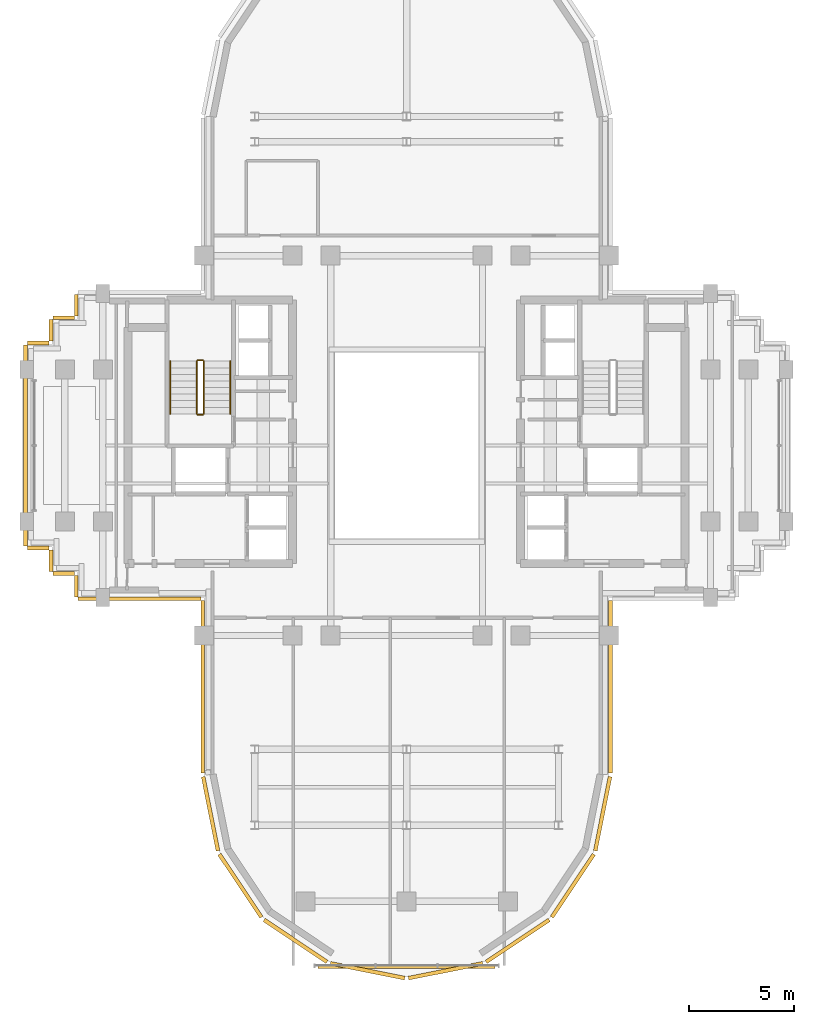
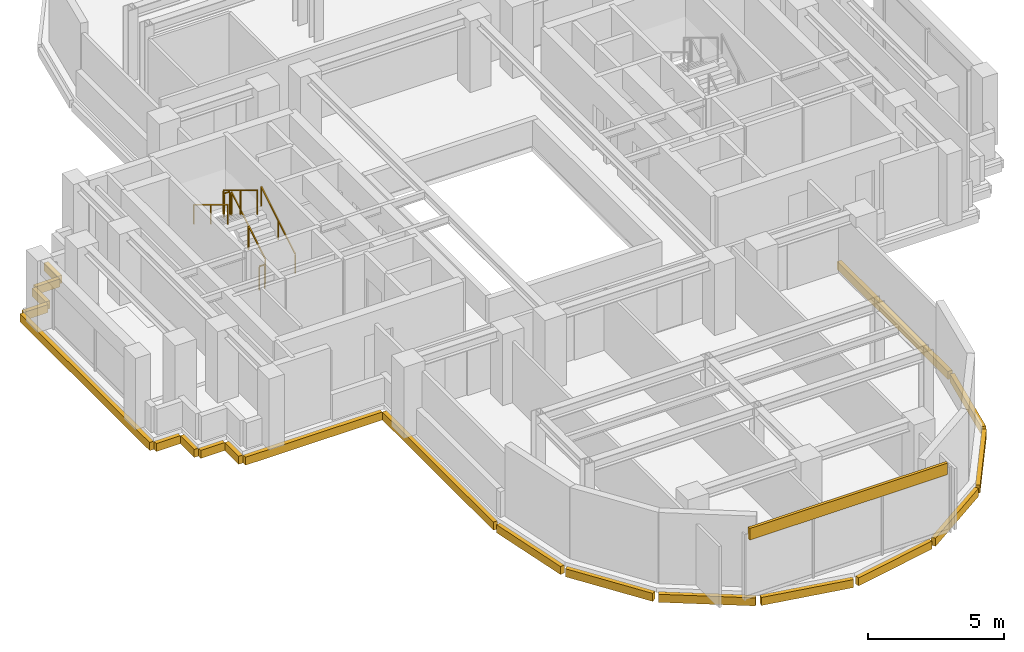
# One storey, part 9 of 11: 21 coverings, 6 railings.
"""IFC4 building model written with IfcOpenShell, lengths in metres."""

import ifcopenshell
import ifcopenshell.guid

model = None  # the IFC model being written
_history = None  # IfcOwnerHistory: only IFC2X3 demands one
_inside = {}  # id of a spatial element -> (the spatial element, [elements in it])
_under = {}  # id of a project, library or spatial element -> (it, [spatial elements below it])
_declared = {}  # id of a project -> (the project, [libraries it declares])
_typed = {}  # id of a type object -> (the type object, [elements of that type])
_made_of = {}  # id of a material, layer set ... -> (it, [elements and type objects made of it])


def new_model(schema):
    """Start an empty IFC model of exactly this schema.

    Asked for "IFC4X3", IfcOpenShell would pick the latest addendum, in which some entities
    have other attributes; the version numbers below select the first issue.
    IFC2X3 requires an IfcOwnerHistory on every rooted entity: one is made here for all.
    """
    global model, _history
    if schema == "IFC4X3":
        model = ifcopenshell.file(schema_version=(4, 3, 0, 0))
    else:
        model = ifcopenshell.file(schema=schema)
    _inside.clear()
    _under.clear()
    _declared.clear()
    _typed.clear()
    _made_of.clear()
    _history = None
    if model.schema == "IFC2X3":
        org = make("IfcOrganization", Name="unknown")
        user = make(
            "IfcPersonAndOrganization",
            ThePerson=make("IfcPerson", FamilyName="unknown"),
            TheOrganization=org,
        )
        app = make(
            "IfcApplication",
            ApplicationDeveloper=org,
            Version="unknown",
            ApplicationFullName="unknown",
            ApplicationIdentifier="unknown",
        )
        _history = make(
            "IfcOwnerHistory",
            OwningUser=user,
            OwningApplication=app,
            ChangeAction="ADDED",
            CreationDate=0,
        )
    return model


def make(cls, **values):
    """One entity of the class cls with the attributes given. An attribute that is None is left unset."""
    return model.create_entity(
        cls, **{name: value for name, value in values.items() if value is not None}
    )


def rooted(cls, **values):
    """An entity with a GlobalId (a new one), such as an element, a storey or a relation."""
    return make(cls, GlobalId=ifcopenshell.guid.new(), OwnerHistory=_history, **values)


def si_unit(unit_type, name, prefix=None):
    """IfcSIUnit, for example si_unit("LENGTHUNIT", "METRE", prefix="MILLI")."""
    return make("IfcSIUnit", UnitType=unit_type, Prefix=prefix, Name=name)


def assignment(units):
    """IfcUnitAssignment: the units of a project."""
    return None if units is None else make("IfcUnitAssignment", Units=units)


def point(xyz):
    """IfcCartesianPoint."""
    return None if xyz is None else make("IfcCartesianPoint", Coordinates=xyz)


def direction(xyz):
    """IfcDirection."""
    return None if xyz is None else make("IfcDirection", DirectionRatios=xyz)


def frame(location, z_axis=None, x_axis=None):
    """IfcAxis2Placement3D, a coordinate frame: its origin and axes. An axis left out is left unset."""
    return make(
        "IfcAxis2Placement3D",
        Location=point(location),
        Axis=direction(z_axis),
        RefDirection=direction(x_axis),
    )


def frame_2d(location, x_axis=None):
    """IfcAxis2Placement2D, a coordinate frame in the plane: its origin and x axis."""
    return make(
        "IfcAxis2Placement2D", Location=point(location), RefDirection=direction(x_axis)
    )


def origin():
    """The frame at (0, 0, 0) with its axes left unset."""
    return frame((0.0, 0.0, 0.0))


def origin_2d():
    """The frame at (0, 0) in the plane with its x axis left unset."""
    return frame_2d((0.0, 0.0))


def place(relative_to, where):
    """IfcLocalPlacement: puts the frame where relative to a parent placement (None: the world)."""
    return make(
        "IfcLocalPlacement", PlacementRelTo=relative_to, RelativePlacement=where
    )


def context(
    kind, dimensions, precision=None, world=None, true_north=None, identifier=None
):
    """IfcGeometricRepresentationContext, for example the 3D "Model" context."""
    return make(
        "IfcGeometricRepresentationContext",
        ContextIdentifier=identifier,
        ContextType=kind,
        CoordinateSpaceDimension=dimensions,
        Precision=precision,
        WorldCoordinateSystem=world,
        TrueNorth=true_north,
    )


def subcontext(parent, identifier, kind, view, scale=None):
    """IfcGeometricRepresentationSubContext, for example "Body" below "Model"."""
    return make(
        "IfcGeometricRepresentationSubContext",
        ContextIdentifier=identifier,
        ContextType=kind,
        ParentContext=parent,
        TargetScale=scale,
        TargetView=view,
    )


def project(units=None, contexts=None):
    """IfcProject with its units and contexts."""
    return rooted(
        "IfcProject",
        Name="project",
        RepresentationContexts=contexts,
        UnitsInContext=assignment(units),
    )


def spatial(cls, under=None, at=None, **own):
    """A site, building, storey or space (cls), placed at a placement, below another one or the project."""
    s = rooted(cls, ObjectPlacement=at, **own)
    if under is not None:
        _under.setdefault(under.id(), (under, []))[1].append(s)
    return s


def profile(cls, at=None, kind="AREA", **sizes):
    """A parametric profile (cls). Its sizes go by their IFC names, for example OverallWidth=200.0."""
    return make(cls, ProfileType=kind, Position=at, **sizes)


def rectangle(**sizes):
    """IfcRectangleProfileDef."""
    return profile("IfcRectangleProfileDef", **sizes)


def extrude(swept, where, along, depth):
    """IfcExtrudedAreaSolid: the profile swept, set in the frame where, extruded along a direction by depth."""
    return make(
        "IfcExtrudedAreaSolid",
        SweptArea=swept,
        Position=where,
        ExtrudedDirection=direction(along),
        Depth=depth,
    )


def shape(context_of_items, identifier, shape_type, items):
    """IfcShapeRepresentation: the items that make up one representation, for example the "Body"."""
    return make(
        "IfcShapeRepresentation",
        ContextOfItems=context_of_items,
        RepresentationIdentifier=identifier,
        RepresentationType=shape_type,
        Items=items,
    )


def source(mapping_origin, context_of_items, identifier, shape_type, items):
    """IfcRepresentationMap: a shape defined once, which mapped items show again and again."""
    return make(
        "IfcRepresentationMap",
        MappingOrigin=mapping_origin,
        MappedRepresentation=shape(context_of_items, identifier, shape_type, items),
    )


def transform(
    local_origin,
    x_axis=None,
    y_axis=None,
    z_axis=None,
    scale=None,
    scale2=None,
    scale3=None,
    uniform=True,
):
    """IfcCartesianTransformationOperator3D, or its non-uniform kind. x_axis, y_axis, z_axis: its Axis1, 2, 3."""
    if uniform:
        return make(
            "IfcCartesianTransformationOperator3D",
            Axis1=direction(x_axis),
            Axis2=direction(y_axis),
            LocalOrigin=point(local_origin),
            Scale=scale,
            Axis3=direction(z_axis),
        )
    return make(
        "IfcCartesianTransformationOperator3DnonUniform",
        Axis1=direction(x_axis),
        Axis2=direction(y_axis),
        LocalOrigin=point(local_origin),
        Scale=scale,
        Axis3=direction(z_axis),
        Scale2=scale2,
        Scale3=scale3,
    )


def mapped(mapping_source, mapping_target):
    """IfcMappedItem: shows the shape of a source again, moved by a transform."""
    return make(
        "IfcMappedItem", MappingSource=mapping_source, MappingTarget=mapping_target
    )


def material(Name=None, Category=None):
    """IfcMaterial."""
    return make("IfcMaterial", Name=Name, Category=Category)


def layer(
    of_material, thickness, ventilated=None, Name=None, Category=None, Priority=None
):
    """IfcMaterialLayer: one layer of a wall or slab, of a material (None: an air gap)."""
    return make(
        "IfcMaterialLayer",
        Material=of_material,
        LayerThickness=thickness,
        IsVentilated=ventilated,
        Name=Name,
        Category=Category,
        Priority=Priority,
    )


def layer_set(layers, Name=None):
    """IfcMaterialLayerSet."""
    return make("IfcMaterialLayerSet", MaterialLayers=layers, LayerSetName=Name)


def made_of(thing, what):
    """Note that an element or type object is made of a material, layer set ...; save() writes the relation."""
    if what is not None:
        _made_of.setdefault(what.id(), (what, []))[1].append(thing)
    return thing


def type_object(cls, material=None, **own):
    """A type object (cls), such as IfcWallType, which elements share."""
    return made_of(rooted(cls, **own), material)


def element(
    cls,
    number,
    at=None,
    inside=None,
    cuts=None,
    type_object=None,
    material=None,
    context=None,
    identifier="Body",
    shape_type=None,
    held_by="IfcProductDefinitionShape",
    body=None,
    shapes=None,
    **own,
):
    """One element of the class cls, such as IfcWall. Its Tag is "e" and its number.

    at: its placement. inside: the storey or other place that contains it. cuts: it is an
    opening in that element (IfcRelVoidsElement). A single representation is given by context,
    identifier, shape_type and body (its items); several are given by shapes. held_by: the class
    of the entity that holds the representations. save() writes the other relations.
    """
    e = rooted(cls, Tag="e%d" % number, ObjectPlacement=at, **own)
    if body is not None:
        shapes = [shape(context, identifier, shape_type, body)]
    if shapes is not None:
        e.Representation = make(held_by, Representations=shapes)
    if inside is not None:
        _inside.setdefault(inside.id(), (inside, []))[1].append(e)
    if cuts is not None:
        rooted(
            "IfcRelVoidsElement", RelatingBuildingElement=cuts, RelatedOpeningElement=e
        )
    if type_object is not None:
        _typed.setdefault(type_object.id(), (type_object, []))[1].append(e)
    return made_of(e, material)


def aggregate(whole, parts):
    """IfcRelAggregates: a whole, such as a stair, and the parts it consists of."""
    return rooted("IfcRelAggregates", RelatingObject=whole, RelatedObjects=parts)


def save(model, path):
    """Write the relations noted so far, then the file.

    IfcRelAggregates (storeys below a building ...), IfcRelContainedInSpatialStructure (elements
    in a storey), IfcRelDefinesByType, IfcRelAssociatesMaterial and IfcRelDeclares: one each for
    every whole, place, type object, material and project.
    """
    for whole, parts in _under.values():
        aggregate(whole, parts)
    for where, things in _inside.values():
        rooted(
            "IfcRelContainedInSpatialStructure",
            RelatedElements=things,
            RelatingStructure=where,
        )
    for kind, things in _typed.values():
        rooted("IfcRelDefinesByType", RelatedObjects=things, RelatingType=kind)
    for what, things in _made_of.values():
        rooted("IfcRelAssociatesMaterial", RelatedObjects=things, RelatingMaterial=what)
    for by, libraries in _declared.values():
        rooted("IfcRelDeclares", RelatingContext=by, RelatedDefinitions=libraries)
    model.write(path)


model = new_model("IFC4")

# Units and contexts
model_context = context("Model", 3, precision=1e-05, world=origin(), true_north=direction((0.0, 1.0)))
body_context = subcontext(model_context, "Body", "Model", "MODEL_VIEW")
ifc_project = project(units=[si_unit("LENGTHUNIT", "METRE"), si_unit("AREAUNIT", "SQUARE_METRE"), si_unit("VOLUMEUNIT", "CUBIC_METRE"), si_unit("PLANEANGLEUNIT", "RADIAN"), si_unit("MASSUNIT", "GRAM", prefix="KILO")], contexts=[model_context])

# Site, building, storey
site_placement = place(None, origin())
site = spatial("IfcSite", under=ifc_project, at=site_placement, CompositionType="ELEMENT")
building_placement = place(site_placement, origin())
building = spatial("IfcBuilding", under=site, at=building_placement, Name="Keilestroom Media Tower", CompositionType="ELEMENT")
storey_placement = place(building_placement, frame((0.0, 0.0, 160.39990234375)))
storey = spatial("IfcBuildingStorey", under=building, at=storey_placement, Name="L43", CompositionType="ELEMENT", Elevation=160.39990234375)

# Railings
ifc_material_1 = material(Name="Brushed Stainless Steel 1.4301", Category="steel")
railing_type_1 = type_object("IfcRailingType", Name="Stair-Pitch-Handrail-920", PredefinedType="HANDRAIL", material=ifc_material_1)
railing_1_placement = place(storey_placement, frame((-8.35009765625, 1.5, 0.18896484375)))
element("IfcRailing", 1, at=railing_1_placement, inside=storey, type_object=railing_type_1, Name="L43 ST-1 stair handrail 1", PredefinedType="HANDRAIL", context=body_context, shape_type="SweptSolid", body=[
    extrude(rectangle(XDim=0.048095703125, YDim=0.048095703125, at=origin_2d()), frame((0.0, 0.0, 0.8759765625), z_axis=(0.0, 0.855433747314, 0.517912255074), x_axis=(-1.0, 0.0, 0.0)), (0.0, 0.0, 1.0), 2.91796875),
    extrude(rectangle(XDim=0.0419921875, YDim=0.0419921875, at=origin_2d()), origin(), (0.0, 0.0, 1.0), 0.84375),
    extrude(rectangle(XDim=0.0419921875, YDim=0.0419921875, at=origin_2d()), frame((0.0, 1.248046875, 0.755615234375)), (0.0, 0.0, 1.0), 0.84375),
    extrude(rectangle(XDim=0.0419921875, YDim=0.0419921875, at=origin_2d()), frame((0.0, 2.49609375, 1.51123046875)), (0.0, 0.0, 1.0), 0.84375),
])
railing_2_placement = place(storey_placement, frame((-11.2099609375, 3.99609375, 1.888916015625)))
element("IfcRailing", 2, at=railing_2_placement, inside=storey, type_object=railing_type_1, Name="L43 ST-1 stair handrail 2", PredefinedType="HANDRAIL", context=body_context, shape_type="SweptSolid", body=[
    extrude(rectangle(XDim=0.048095703125, YDim=0.048095703125, at=origin_2d()), frame((0.0, 0.0, 0.8759765625), z_axis=(0.0, -0.855433747314, 0.517912255074), x_axis=(1.0, 0.0, 0.0)), (0.0, 0.0, 1.0), 2.91796875),
    extrude(rectangle(XDim=0.0419921875, YDim=0.0419921875, at=origin_2d()), origin(), (0.0, 0.0, 1.0), 0.84375),
    extrude(rectangle(XDim=0.0419921875, YDim=0.0419921875, at=origin_2d()), frame((0.0, -1.248046875, 0.755615234375)), (0.0, 0.0, 1.0), 0.84375),
    extrude(rectangle(XDim=0.0419921875, YDim=0.0419921875, at=origin_2d()), frame((0.0, -2.49609375, 1.51123046875)), (0.0, 0.0, 1.0), 0.84375),
])
ifc_material_2 = material(Name="Painted Steel Balustrade", Category="steel")
railing_type_2 = type_object("IfcRailingType", Name="Stair-Well-And-Landing-Guard-1100", PredefinedType="GUARDRAIL", material=ifc_material_2)
railing_3_placement = place(storey_placement, frame((-9.610107421875, 1.5, 0.18896484375)))
element("IfcRailing", 3, at=railing_3_placement, inside=storey, type_object=railing_type_2, Name="L43 ST-1 stair guard 1", PredefinedType="GUARDRAIL", context=body_context, shape_type="SweptSolid", body=[
    extrude(rectangle(XDim=0.048095703125, YDim=0.048095703125, at=origin_2d()), frame((0.0, 0.0, 1.076171875), z_axis=(0.0, 0.855433747314, 0.517912255074), x_axis=(-1.0, 0.0, 0.0)), (0.0, 0.0, 1.0), 2.91796875),
    extrude(rectangle(XDim=0.0419921875, YDim=0.0419921875, at=origin_2d()), origin(), (0.0, 0.0, 1.0), 1.0439453125),
    extrude(rectangle(XDim=0.0419921875, YDim=0.0419921875, at=origin_2d()), frame((0.0, 1.248046875, 0.755615234375)), (0.0, 0.0, 1.0), 1.0439453125),
    extrude(rectangle(XDim=0.0419921875, YDim=0.0419921875, at=origin_2d()), frame((0.0, 2.49609375, 1.51123046875)), (0.0, 0.0, 1.0), 1.0439453125),
])
railing_4_placement = place(storey_placement, frame((-9.659912109375, 4.0458984375, 1.7001953125)))
element("IfcRailing", 4, at=railing_4_placement, inside=storey, type_object=railing_type_2, Name="L43 ST-1 stair guard 2", PredefinedType="GUARDRAIL", context=body_context, shape_type="SweptSolid", body=[
    extrude(rectangle(XDim=0.048095703125, YDim=0.048095703125, at=origin_2d()), frame((0.0, 0.0, 1.076171875), z_axis=(-1.0, 0.0, 0.0), x_axis=(0.0, -1.0, 0.0)), (0.0, 0.0, 1.0), 0.239990234375),
    extrude(rectangle(XDim=0.0419921875, YDim=0.0419921875, at=origin_2d()), origin(), (0.0, 0.0, 1.0), 1.0439453125),
    extrude(rectangle(XDim=0.0419921875, YDim=0.0419921875, at=origin_2d()), frame((-0.239990234375, 0.0, 0.0)), (0.0, 0.0, 1.0), 1.0439453125),
])
railing_5_placement = place(storey_placement, frame((-9.949951171875, 3.99609375, 1.888916015625)))
element("IfcRailing", 5, at=railing_5_placement, inside=storey, type_object=railing_type_2, Name="L43 ST-1 stair guard 3", PredefinedType="GUARDRAIL", context=body_context, shape_type="SweptSolid", body=[
    extrude(rectangle(XDim=0.048095703125, YDim=0.048095703125, at=origin_2d()), frame((0.0, 0.0, 1.076171875), z_axis=(0.0, -0.855433747314, 0.517912255074), x_axis=(1.0, 0.0, 0.0)), (0.0, 0.0, 1.0), 2.91796875),
    extrude(rectangle(XDim=0.0419921875, YDim=0.0419921875, at=origin_2d()), origin(), (0.0, 0.0, 1.0), 1.0439453125),
    extrude(rectangle(XDim=0.0419921875, YDim=0.0419921875, at=origin_2d()), frame((0.0, -1.248046875, 0.755615234375)), (0.0, 0.0, 1.0), 1.0439453125),
    extrude(rectangle(XDim=0.0419921875, YDim=0.0419921875, at=origin_2d()), frame((0.0, -2.49609375, 1.51123046875)), (0.0, 0.0, 1.0), 1.0439453125),
])
railing_6_placement = place(storey_placement, frame((-9.659912109375, 1.449951171875, 0.0)))
element("IfcRailing", 6, at=railing_6_placement, inside=storey, type_object=railing_type_2, Name="L43 ST-1 stair guard 4", PredefinedType="GUARDRAIL", context=body_context, shape_type="SweptSolid", body=[
    extrude(rectangle(XDim=0.048095703125, YDim=0.048095703125, at=origin_2d()), frame((0.0, 0.0, 1.076171875), z_axis=(-1.0, 0.0, 0.0), x_axis=(0.0, -1.0, 0.0)), (0.0, 0.0, 1.0), 0.239990234375),
    extrude(rectangle(XDim=0.0419921875, YDim=0.0419921875, at=origin_2d()), origin(), (0.0, 0.0, 1.0), 1.0439453125),
    extrude(rectangle(XDim=0.0419921875, YDim=0.0419921875, at=origin_2d()), frame((-0.239990234375, 0.0, 0.0)), (0.0, 0.0, 1.0), 1.0439453125),
])

# Coverings
ifc_material_3 = material(Name="Precast concrete C40/50", Category="concrete")
ifc_layer = layer(ifc_material_3, 0.1201171875)
ifc_layer_set = layer_set([ifc_layer], Name="Precast concrete C40/50")
covering_type = type_object("IfcCoveringType", Name="Exterior-Precast-Spandrel-Cladding-Panel-120", PredefinedType="CLADDING", material=ifc_layer_set)
shared_shape_1 = source(origin(), body_context, "Body", "SweptSolid", [
    extrude(rectangle(XDim=8.39990234375, YDim=0.1201171875, at=origin_2d()), origin(), (0.0, 0.0, 1.0), 0.52001953125),
])
covering_1_placement = place(storey_placement, frame((0.0, -24.719970703125, 2.690185546875), z_axis=(0.0, 0.0, 1.0), x_axis=(1.0, 0.0, 0.0)))
element("IfcCovering", 7, at=covering_1_placement, inside=storey, type_object=covering_type, Name="L43 Precast Spandrel Cladding S", PredefinedType="CLADDING", context=body_context, shape_type="MappedRepresentation", body=[
    mapped(shared_shape_1, transform((0.0, 0.0, 0.0), x_axis=(1.0, 0.0, 0.0), y_axis=(0.0, 1.0, 0.0), z_axis=(0.0, 0.0, 1.0), scale=1.0)),
])
shared_shape_2 = source(origin(), body_context, "Body", "SweptSolid", [
    extrude(rectangle(XDim=1.02001953125, YDim=0.179931640625, at=origin_2d()), origin(), (0.0, 0.0, 1.0), 0.360107421875),
])
for number, where, z_axis, x_axis, name in (
    (8, (-15.659912109375, -6.659912109375, -0.5400390625), (0.0, 0.0, 1.0), (0.0, 1.0, 0.0), "L43 Precast Slab-Edge Fascia Cornice 17"),
    (9, (-16.260009765625, -6.06005859375, -0.5400390625), (0.0, 0.0, 1.0), (-1.0, 0.0, 0.0), "L43 Precast Slab-Edge Fascia Cornice 18"),
    (10, (-16.860107421875, -5.4599609375, -0.5400390625), (0.0, 0.0, 1.0), (0.0, 1.0, 0.0), "L43 Precast Slab-Edge Fascia Cornice 19"),
    (11, (-17.4599609375, -4.860107421875, -0.5400390625), (0.0, 0.0, 1.0), (-1.0, 0.0, 0.0), "L43 Precast Slab-Edge Fascia Cornice 20"),
    (12, (-17.4599609375, 4.860107421875, -0.5400390625), (0.0, 0.0, 1.0), (1.0, 0.0, 0.0), "L43 Precast Slab-Edge Fascia Cornice 22"),
    (13, (-16.860107421875, 5.4599609375, -0.5400390625), (0.0, 0.0, 1.0), (0.0, 1.0, 0.0), "L43 Precast Slab-Edge Fascia Cornice 23"),
    (14, (-16.260009765625, 6.06005859375, -0.5400390625), (0.0, 0.0, 1.0), (1.0, 0.0, 0.0), "L43 Precast Slab-Edge Fascia Cornice 24"),
    (15, (-15.659912109375, 6.659912109375, -0.5400390625), (0.0, 0.0, 1.0), (0.0, 1.0, 0.0), "L43 Precast Slab-Edge Fascia Cornice 25"),
):
    element("IfcCovering", number, at=place(storey_placement, frame(where, z_axis=z_axis, x_axis=x_axis)), inside=storey, type_object=covering_type, Name=name, PredefinedType="CLADDING", context=body_context, shape_type="MappedRepresentation", body=[
        mapped(shared_shape_2, transform((0.0, 0.0, 0.0), x_axis=(1.0, 0.0, 0.0), y_axis=(0.0, 1.0, 0.0), z_axis=(0.0, 0.0, 1.0), scale=1.0)),
    ])
shared_shape_3 = source(origin(), body_context, "Body", "SweptSolid", [
    extrude(rectangle(XDim=8.166015625, YDim=0.179931640625, at=origin_2d()), origin(), (0.0, 0.0, 1.0), 0.360107421875),
])
for number, where, z_axis, x_axis, name in (
    (16, (9.659912109375, -11.43310546875, -0.5400390625), (0.0, 0.0, 1.0), (0.0, -1.0, 0.0), "L43 Precast Slab-Edge Fascia Cornice 06"),
    (17, (-9.659912109375, -11.43310546875, -0.5400390625), (0.0, 0.0, 1.0), (0.0, 1.0, 0.0), "L43 Precast Slab-Edge Fascia Cornice 15"),
):
    element("IfcCovering", number, at=place(storey_placement, frame(where, z_axis=z_axis, x_axis=x_axis)), inside=storey, type_object=covering_type, Name=name, PredefinedType="CLADDING", context=body_context, shape_type="MappedRepresentation", body=[
        mapped(shared_shape_3, transform((0.0, 0.0, 0.0), x_axis=(1.0, 0.0, 0.0), y_axis=(0.0, 1.0, 0.0), z_axis=(0.0, 0.0, 1.0), scale=1.0)),
    ])
shared_shape_4 = source(origin(), body_context, "Body", "SweptSolid", [
    extrude(rectangle(XDim=3.58349609375, YDim=0.179931640625, at=origin_2d()), origin(), (0.0, 0.0, 1.0), 0.360107421875),
])
for number, where, z_axis, x_axis, name in (
    (18, (9.29296875, -17.45166015625, -0.5400390625), (0.0, 0.0, 1.0), (-0.195098880975, -0.980783577882, 0.0), "L43 Precast Slab-Edge Fascia Cornice 07"),
    (19, (-9.29296875, -17.45166015625, -0.5400390625), (0.0, 0.0, 1.0), (-0.195098880975, 0.980783577882, 0.0), "L43 Precast Slab-Edge Fascia Cornice 14"),
):
    element("IfcCovering", number, at=place(storey_placement, frame(where, z_axis=z_axis, x_axis=x_axis)), inside=storey, type_object=covering_type, Name=name, PredefinedType="CLADDING", context=body_context, shape_type="MappedRepresentation", body=[
        mapped(shared_shape_4, transform((0.0, 0.0, 0.0), x_axis=(1.0, 0.0, 0.0), y_axis=(0.0, 1.0, 0.0), z_axis=(0.0, 0.0, 1.0), scale=1.0)),
    ])
shared_shape_5 = source(origin(), body_context, "Body", "SweptSolid", [
    extrude(rectangle(XDim=3.589599609375, YDim=0.179931640625, at=origin_2d()), origin(), (0.0, 0.0, 1.0), 0.360107421875),
])
for number, where, z_axis, x_axis, name in (
    (20, (7.878662109375, -20.8642578125, -0.5400390625), (0.0, 0.0, 1.0), (-0.555574586577, -0.831466703332, 0.0), "L43 Precast Slab-Edge Fascia Cornice 08"),
    (21, (5.264404296875, -23.478515625, -0.5400390625), (0.0, 0.0, 1.0), (-0.831466703332, -0.555574586577, 0.0), "L43 Precast Slab-Edge Fascia Cornice 09"),
    (22, (1.8486328125, -24.893310546875, -0.5400390625), (0.0, 0.0, 1.0), (-0.980783577882, -0.195098880975, 0.0), "L43 Precast Slab-Edge Fascia Cornice 10"),
    (23, (-1.8486328125, -24.893310546875, -0.5400390625), (0.0, 0.0, 1.0), (-0.980783577882, 0.195098880975, 0.0), "L43 Precast Slab-Edge Fascia Cornice 11"),
    (24, (-5.264404296875, -23.478515625, -0.5400390625), (0.0, 0.0, 1.0), (-0.831466703332, 0.555574586577, 0.0), "L43 Precast Slab-Edge Fascia Cornice 12"),
    (25, (-7.878662109375, -20.8642578125, -0.5400390625), (0.0, 0.0, 1.0), (-0.555574586577, 0.831466703332, 0.0), "L43 Precast Slab-Edge Fascia Cornice 13"),
):
    element("IfcCovering", number, at=place(storey_placement, frame(where, z_axis=z_axis, x_axis=x_axis)), inside=storey, type_object=covering_type, Name=name, PredefinedType="CLADDING", context=body_context, shape_type="MappedRepresentation", body=[
        mapped(shared_shape_5, transform((0.0, 0.0, 0.0), x_axis=(1.0, 0.0, 0.0), y_axis=(0.0, 1.0, 0.0), z_axis=(0.0, 0.0, 1.0), scale=1.0)),
    ])
shared_shape_6 = source(origin(), body_context, "Body", "SweptSolid", [
    extrude(rectangle(XDim=9.5400390625, YDim=0.179931640625, at=origin_2d()), origin(), (0.0, 0.0, 1.0), 0.360107421875),
])
covering_2_placement = place(storey_placement, frame((-18.06005859375, 0.0, -0.5400390625), z_axis=(0.0, 0.0, 1.0), x_axis=(0.0, 1.0, 0.0)))
element("IfcCovering", 26, at=covering_2_placement, inside=storey, type_object=covering_type, Name="L43 Precast Slab-Edge Fascia Cornice 21", PredefinedType="CLADDING", context=body_context, shape_type="MappedRepresentation", body=[
    mapped(shared_shape_6, transform((0.0, 0.0, 0.0), x_axis=(1.0, 0.0, 0.0), y_axis=(0.0, 1.0, 0.0), z_axis=(0.0, 0.0, 1.0), scale=1.0)),
])
shared_shape_7 = source(origin(), body_context, "Body", "SweptSolid", [
    extrude(rectangle(XDim=5.820068359375, YDim=0.179931640625, at=origin_2d()), origin(), (0.0, 0.0, 1.0), 0.360107421875),
])
covering_3_placement = place(storey_placement, frame((-12.659912109375, -7.260009765625, -0.5400390625), z_axis=(0.0, 0.0, 1.0), x_axis=(-1.0, 0.0, 0.0)))
element("IfcCovering", 27, at=covering_3_placement, inside=storey, type_object=covering_type, Name="L43 Precast Slab-Edge Fascia Cornice 16", PredefinedType="CLADDING", context=body_context, shape_type="MappedRepresentation", body=[
    mapped(shared_shape_7, transform((0.0, 0.0, 0.0), x_axis=(1.0, 0.0, 0.0), y_axis=(0.0, 1.0, 0.0), z_axis=(0.0, 0.0, 1.0), scale=1.0)),
])

save(model, "model.ifc")
